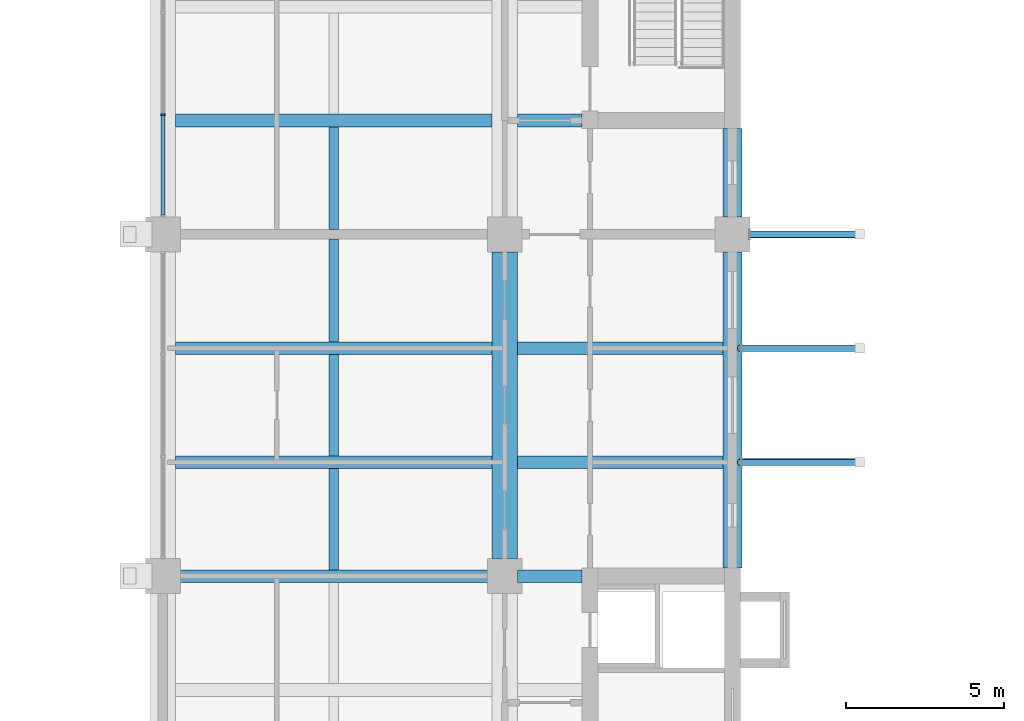
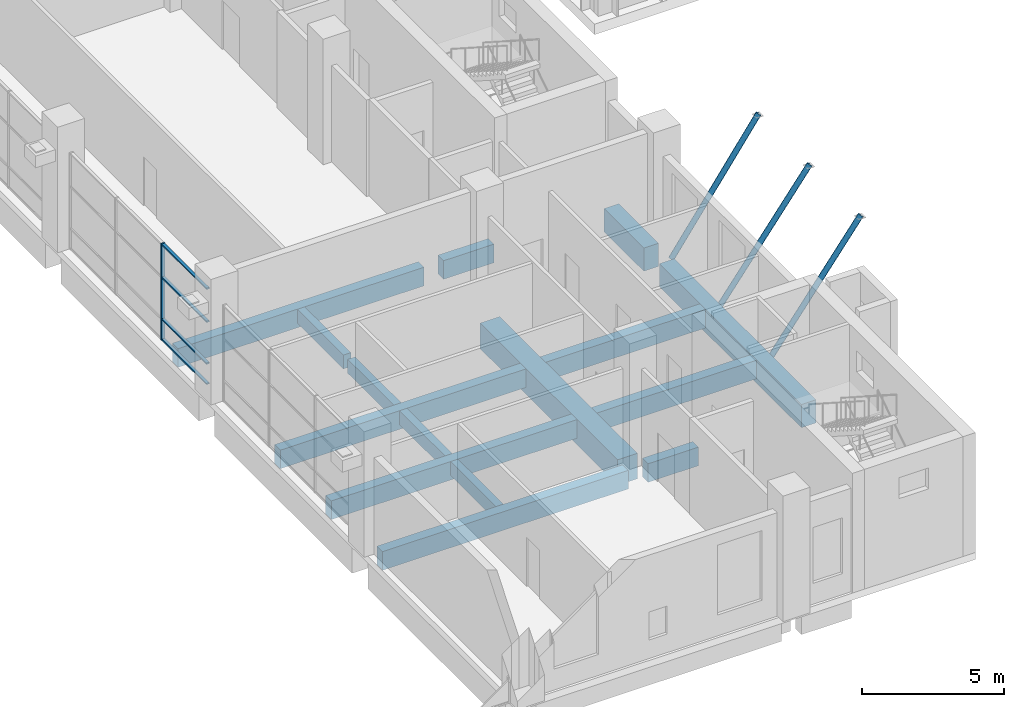
# One storey, part 5 of 38: 15 beams, 8 members, 1 element without a shape of its own.
"""IFC4 building model written with IfcOpenShell, lengths in metres."""

from ifc_helpers import new_model, si_unit, direction, frame, origin, origin_2d, place, context, subcontext, project, spatial, rectangle, hollow_circle, extrude, material, layer, layer_set, material_profile, profile_set, type_object, element, aggregate, save


model = new_model("IFC4")

# Units and contexts
model_context = context("Model", 3, precision=1e-05, world=origin(), true_north=direction((0.0, 1.0)))
body_context = subcontext(model_context, "Body", "Model", "MODEL_VIEW")
ifc_project = project(units=[si_unit("LENGTHUNIT", "METRE"), si_unit("AREAUNIT", "SQUARE_METRE"), si_unit("VOLUMEUNIT", "CUBIC_METRE"), si_unit("PLANEANGLEUNIT", "RADIAN"), si_unit("MASSUNIT", "GRAM", prefix="KILO")], contexts=[model_context])

# Site, building, storey
site_placement = place(None, origin())
site = spatial("IfcSite", under=ifc_project, at=site_placement, CompositionType="ELEMENT")
building_placement = place(site_placement, origin())
building = spatial("IfcBuilding", under=site, at=building_placement, Name="Basin Gate Institute", CompositionType="ELEMENT")
storey_placement = place(building_placement, frame((0.0, 0.0, 16.800048828125)))
storey = spatial("IfcBuildingStorey", under=building, at=storey_placement, Name="L03", CompositionType="ELEMENT", Elevation=16.800048828125)

# Beams
ifc_material_1 = material(Name="Concrete 40 MPa", Category="concrete")
ifc_material_profile_1 = material_profile(ifc_material_1, rectangle(XDim=0.39990234375, YDim=0.800048828125, at=origin_2d()), Name="Beam B2 400 x 800")
ifc_profile_set_1 = profile_set([ifc_material_profile_1], Name="Concrete 40 MPa")
beam_type_1 = type_object("IfcBeamType", Name="Beam B2 R180", PredefinedType="BEAM", material=ifc_profile_set_1)
beam_1_placement = place(storey_placement, frame((111.199951171875, 45.89990234375, -0.699951171875), z_axis=(-1.0, 0.0, 0.0), x_axis=(0.0, -1.0, 0.0)))
element("IfcBeam", 1, at=beam_1_placement, inside=storey, type_object=beam_type_1, material=ifc_profile_set_1, Name="BEAM/L03/E/EW/04", PredefinedType="BEAM", context=body_context, shape_type="SweptSolid", body=[
    extrude(rectangle(XDim=0.39990234375, YDim=0.800048828125, at=origin_2d()), origin(), (0.0, 0.0, 1.0), 10.0),
])
beam_2_placement = place(storey_placement, frame((114.050048828125, 45.89990234375, -0.699951171875), z_axis=(-1.0, 0.0, 0.0), x_axis=(0.0, -1.0, 0.0)))
element("IfcBeam", 2, at=beam_2_placement, inside=storey, type_object=beam_type_1, material=ifc_profile_set_1, Name="BEAM/L03/E/CORR/04", PredefinedType="BEAM", context=body_context, shape_type="SweptSolid", body=[
    extrude(rectangle(XDim=0.39990234375, YDim=0.800048828125, at=origin_2d()), origin(), (0.0, 0.0, 1.0), 2.050048828125),
])
beam_3_placement = place(storey_placement, frame((111.199951171875, 49.5, -0.699951171875), z_axis=(-1.0, 0.0, 0.0), x_axis=(0.0, -1.0, 0.0)))
element("IfcBeam", 3, at=beam_3_placement, inside=storey, type_object=beam_type_1, material=ifc_profile_set_1, Name="BEAM/L03/E/EW/05", PredefinedType="BEAM", context=body_context, shape_type="SweptSolid", body=[
    extrude(rectangle(XDim=0.39990234375, YDim=0.800048828125, at=origin_2d()), origin(), (0.0, 0.0, 1.0), 10.0),
])
beam_4_placement = place(storey_placement, frame((118.5, 49.5, -0.699951171875), z_axis=(-1.0, 0.0, 0.0), x_axis=(0.0, -1.0, 0.0)))
element("IfcBeam", 4, at=beam_4_placement, inside=storey, type_object=beam_type_1, material=ifc_profile_set_1, Name="BEAM/L03/E/OUT/05", PredefinedType="BEAM", context=body_context, shape_type="SweptSolid", body=[
    extrude(rectangle(XDim=0.39990234375, YDim=0.800048828125, at=origin_2d()), origin(), (0.0, 0.0, 1.0), 6.5),
])
beam_5_placement = place(storey_placement, frame((111.199951171875, 53.10009765625, -0.699951171875), z_axis=(-1.0, 0.0, 0.0), x_axis=(0.0, -1.0, 0.0)))
element("IfcBeam", 5, at=beam_5_placement, inside=storey, type_object=beam_type_1, material=ifc_profile_set_1, Name="BEAM/L03/E/EW/06", PredefinedType="BEAM", context=body_context, shape_type="SweptSolid", body=[
    extrude(rectangle(XDim=0.39990234375, YDim=0.800048828125, at=origin_2d()), origin(), (0.0, 0.0, 1.0), 10.0),
])
beam_6_placement = place(storey_placement, frame((118.5, 53.10009765625, -0.699951171875), z_axis=(-1.0, 0.0, 0.0), x_axis=(0.0, -1.0, 0.0)))
element("IfcBeam", 6, at=beam_6_placement, inside=storey, type_object=beam_type_1, material=ifc_profile_set_1, Name="BEAM/L03/E/OUT/06", PredefinedType="BEAM", context=body_context, shape_type="SweptSolid", body=[
    extrude(rectangle(XDim=0.39990234375, YDim=0.800048828125, at=origin_2d()), origin(), (0.0, 0.0, 1.0), 6.5),
])
beam_7_placement = place(storey_placement, frame((111.199951171875, 60.300048828125, -0.699951171875), z_axis=(-1.0, 0.0, 0.0), x_axis=(0.0, -1.0, 0.0)))
element("IfcBeam", 7, at=beam_7_placement, inside=storey, type_object=beam_type_1, material=ifc_profile_set_1, Name="BEAM/L03/E/EW/08", PredefinedType="BEAM", context=body_context, shape_type="SweptSolid", body=[
    extrude(rectangle(XDim=0.39990234375, YDim=0.800048828125, at=origin_2d()), origin(), (0.0, 0.0, 1.0), 10.0),
])
beam_8_placement = place(storey_placement, frame((114.050048828125, 60.300048828125, -0.699951171875), z_axis=(-1.0, 0.0, 0.0), x_axis=(0.0, -1.0, 0.0)))
element("IfcBeam", 8, at=beam_8_placement, inside=storey, type_object=beam_type_1, material=ifc_profile_set_1, Name="BEAM/L03/E/CORR/08", PredefinedType="BEAM", context=body_context, shape_type="SweptSolid", body=[
    extrude(rectangle(XDim=0.39990234375, YDim=0.800048828125, at=origin_2d()), origin(), (0.0, 0.0, 1.0), 2.050048828125),
])

# Members
ifc_material_2 = material(Name="Structural steel SN490", Category="steel")
ifc_material_profile_2 = material_profile(ifc_material_2, hollow_circle(Radius=0.109619140625, WallThickness=0.008056640625, at=origin_2d()), Name="CHS219x8")
ifc_profile_set_2 = profile_set([ifc_material_profile_2], Name="Structural steel SN490")
member_type_1 = type_object("IfcMemberType", Name="Capsule bracket TD3", PredefinedType="BRACE", material=ifc_profile_set_2)
for number, where, z_axis, x_axis, name in (
    (9, (119.050048828125, 49.5, -0.699951171875), (0.605088195885, 0.0, 0.796158448552), (0.0, 1.0, 0.0), "Tray bracket E L04 tray 1.1"),
    (10, (119.050048828125, 53.10009765625, -0.699951171875), (0.605088195885, 0.0, 0.796158448552), (0.0, 1.0, 0.0), "Tray bracket E L04 tray 1.2"),
):
    element("IfcMember", number, at=place(storey_placement, frame(where, z_axis=z_axis, x_axis=x_axis)), inside=storey, type_object=member_type_1, material=ifc_profile_set_2, Name=name, PredefinedType="BRACE", context=body_context, shape_type="SweptSolid", body=[
        extrude(hollow_circle(Radius=0.109619140625, WallThickness=0.008056640625, at=origin_2d()), origin(), (0.0, 0.0, 1.0), 6.2802734375),
    ])
member_1_placement = place(storey_placement, frame((119.300048828125, 56.699951171875, -0.699951171875), z_axis=(0.578927213056, 0.0, 0.815379225871), x_axis=(0.0, 1.0, 0.0)))
element("IfcMember", 11, at=member_1_placement, inside=storey, type_object=member_type_1, material=ifc_profile_set_2, Name="Tray bracket E L04 tray 1.3", PredefinedType="BRACE", context=body_context, shape_type="SweptSolid", body=[
    extrude(hollow_circle(Radius=0.109619140625, WallThickness=0.008056640625, at=origin_2d()), origin(), (0.0, 0.0, 1.0), 6.132080078125),
])

# Beams
ifc_material_3 = material(Name="Concrete 50 MPa", Category="concrete")
ifc_material_profile_3 = material_profile(ifc_material_3, rectangle(XDim=0.60009765625, YDim=1.0, at=origin_2d()), Name="Edge beam EB2 600 x 1000")
ifc_profile_set_3 = profile_set([ifc_material_profile_3], Name="Concrete 50 MPa")
beam_type_2 = type_object("IfcBeamType", Name="Edge beam EB2 R180", PredefinedType="SPANDREL", material=ifc_profile_set_3)
beam_9_placement = place(storey_placement, frame((118.800048828125, 46.14990234375, -0.800048828125), z_axis=(0.0, 1.0, 0.0), x_axis=(-1.0, 0.0, 0.0)))
element("IfcBeam", 12, at=beam_9_placement, inside=storey, type_object=beam_type_2, material=ifc_profile_set_3, Name="BEAM/L03/E/EDGE/1", PredefinedType="SPANDREL", context=body_context, shape_type="SweptSolid", body=[
    extrude(rectangle(XDim=0.60009765625, YDim=1.0, at=origin_2d()), origin(), (0.0, 0.0, 1.0), 10.0),
])
ifc_material_4 = material(Name="Concrete 50 MPa", Category="concrete")
ifc_material_profile_4 = material_profile(ifc_material_4, rectangle(XDim=0.60009765625, YDim=1.0, at=origin_2d()), Name="Edge return beam EB4 600 x 1000")
ifc_profile_set_4 = profile_set([ifc_material_profile_4], Name="Concrete 50 MPa")
beam_type_3 = type_object("IfcBeamType", Name="Edge return beam EB4 R180", PredefinedType="SPANDREL", material=ifc_profile_set_4)
beam_10_placement = place(storey_placement, frame((118.800048828125, 57.25, -0.800048828125), z_axis=(0.0, 1.0, 0.0), x_axis=(-1.0, 0.0, 0.0)))
element("IfcBeam", 13, at=beam_10_placement, inside=storey, type_object=beam_type_3, material=ifc_profile_set_4, Name="BEAM/L03/E/EDGE/2", PredefinedType="SPANDREL", context=body_context, shape_type="SweptSolid", body=[
    extrude(rectangle(XDim=0.60009765625, YDim=1.0, at=origin_2d()), origin(), (0.0, 0.0, 1.0), 2.800048828125),
])
ifc_material_5 = material(Name="Concrete 50 MPa", Category="concrete")
ifc_material_profile_5 = material_profile(ifc_material_5, rectangle(XDim=0.800048828125, YDim=1.10009765625, at=origin_2d()), Name="Girder G2 800 x 1100")
ifc_profile_set_5 = profile_set([ifc_material_profile_5], Name="Concrete 50 MPa")
beam_type_4 = type_object("IfcBeamType", Name="Girder G2 R180", PredefinedType="BEAM", material=ifc_profile_set_5)
beam_11_placement = place(storey_placement, frame((111.60009765625, 46.449951171875, -0.85009765625), z_axis=(0.0, 1.0, 0.0), x_axis=(-1.0, 0.0, 0.0)))
element("IfcBeam", 14, at=beam_11_placement, inside=storey, type_object=beam_type_4, material=ifc_profile_set_5, Name="GIR/L03/E8/2", PredefinedType="BEAM", context=body_context, shape_type="SweptSolid", body=[
    extrude(rectangle(XDim=0.800048828125, YDim=1.10009765625, at=origin_2d()), origin(), (0.0, 0.0, 1.0), 9.699951171875),
])

# Curtain wall, member
ifc_material_6 = material(Name="Fire-resistant glazing in steel-free frame", Category="steel")
ifc_layer = layer(ifc_material_6, 0.199951171875)
ifc_layer_set = layer_set([ifc_layer], Name="Fire-resistant glazing in steel-free frame")
curtain_wall_type = type_object("IfcCurtainWallType", Name="Atrium rated curtain wall CW3", PredefinedType="NOTDEFINED", material=ifc_layer_set)
curtain_wall_placement = place(storey_placement, origin())
curtain_wall = element("IfcCurtainWall", 15, at=curtain_wall_placement, inside=storey, type_object=curtain_wall_type, material=ifc_layer_set, Name="Atrium rated curtain wall E wing atrium bay 3 L03", PredefinedType="NOTDEFINED")
ifc_material_7 = material(Name="Aluminium", Category="aluminium")
ifc_material_profile_6 = material_profile(ifc_material_7, rectangle(XDim=0.14990234375, YDim=0.06005859375, at=origin_2d()), Name="Mullion MU3 150 x 60")
ifc_profile_set_6 = profile_set([ifc_material_profile_6], Name="Aluminium")
member_type_2 = type_object("IfcMemberType", Name="Mullion MU3", PredefinedType="MULLION", material=ifc_profile_set_6)
member_2_placement = place(storey_placement, frame((100.800048828125, 60.4833984375, 0.0), z_axis=(0.0, 0.0, 1.0), x_axis=(-1.0, 0.0, 0.0)))
member_2 = element("IfcMember", 16, at=member_2_placement, type_object=member_type_2, material=ifc_profile_set_6, Name="CW3 mullion 2", PredefinedType="MULLION", context=body_context, shape_type="SweptSolid", body=[
    extrude(rectangle(XDim=0.14990234375, YDim=0.06005859375, at=origin_2d()), origin(), (0.0, 0.0, 1.0), 4.14990234375),
])

# Beams
ifc_material_8 = material(Name="Concrete 40 MPa", Category="concrete")
ifc_material_profile_7 = material_profile(ifc_material_8, rectangle(XDim=0.300048828125, YDim=0.60009765625, at=origin_2d()), Name="Rib R2 300 x 600")
ifc_profile_set_7 = profile_set([ifc_material_profile_7], Name="Concrete 40 MPa")
beam_type_5 = type_object("IfcBeamType", Name="Rib R2 R180", PredefinedType="JOIST", material=ifc_profile_set_7)
for number, where, z_axis, x_axis, name in (
    (17, (106.199951171875, 46.10009765625, -0.60009765625), (0.0, 1.0, 0.0), (-1.0, 0.0, 0.0), "BEAM/L03/E/RIB/04"),
    (18, (106.199951171875, 49.699951171875, -0.60009765625), (0.0, 1.0, 0.0), (-1.0, 0.0, 0.0), "BEAM/L03/E/RIB/05"),
):
    element("IfcBeam", number, at=place(storey_placement, frame(where, z_axis=z_axis, x_axis=x_axis)), inside=storey, type_object=beam_type_5, material=ifc_profile_set_7, Name=name, PredefinedType="JOIST", context=body_context, shape_type="SweptSolid", body=[
        extrude(rectangle(XDim=0.300048828125, YDim=0.60009765625, at=origin_2d()), origin(), (0.0, 0.0, 1.0), 3.199951171875),
    ])
for number, where, z_axis, x_axis, name in (
    (19, (106.199951171875, 53.300048828125, -0.60009765625), (0.0, 1.0, 0.0), (-1.0, 0.0, 0.0), "BEAM/L03/E/RIB/06"),
    (20, (106.199951171875, 56.85009765625, -0.60009765625), (0.0, 1.0, 0.0), (-1.0, 0.0, 0.0), "BEAM/L03/E/RIB/07"),
):
    element("IfcBeam", number, at=place(storey_placement, frame(where, z_axis=z_axis, x_axis=x_axis)), inside=storey, type_object=beam_type_5, material=ifc_profile_set_7, Name=name, PredefinedType="JOIST", context=body_context, shape_type="SweptSolid", body=[
        extrude(rectangle(XDim=0.300048828125, YDim=0.60009765625, at=origin_2d()), origin(), (0.0, 0.0, 1.0), 3.25),
    ])

# Member
ifc_material_9 = material(Name="Aluminium", Category="aluminium")
ifc_material_profile_8 = material_profile(ifc_material_9, rectangle(XDim=0.1201171875, YDim=0.06005859375, at=origin_2d()), Name="Transom TR3 120 x 60")
ifc_profile_set_8 = profile_set([ifc_material_profile_8], Name="Aluminium")
member_type_3 = type_object("IfcMemberType", Name="Transom TR3", PredefinedType="USERDEFINED", material=ifc_profile_set_8)
member_3_placement = place(storey_placement, frame((100.800048828125, 57.31005859375, 0.030029296875), z_axis=(0.0, 1.0, 0.0), x_axis=(-1.0, 0.0, 0.0)))
member_3 = element("IfcMember", 21, at=member_3_placement, type_object=member_type_3, material=ifc_profile_set_8, Name="CW3 transom 1.1", ObjectType="TRANSOM", PredefinedType="USERDEFINED", context=body_context, shape_type="SweptSolid", body=[
    extrude(rectangle(XDim=0.1201171875, YDim=0.06005859375, at=origin_2d()), origin(), (0.0, 0.0, 1.0), 3.143310546875),
])

member_4_placement = place(storey_placement, frame((100.800048828125, 57.31005859375, 0.89990234375), z_axis=(0.0, 1.0, 0.0), x_axis=(-1.0, 0.0, 0.0)))
member_4 = element("IfcMember", 22, at=member_4_placement, type_object=member_type_3, material=ifc_profile_set_8, Name="CW3 transom 1.2", ObjectType="TRANSOM", PredefinedType="USERDEFINED", context=body_context, shape_type="SweptSolid", body=[
    extrude(rectangle(XDim=0.1201171875, YDim=0.06005859375, at=origin_2d()), origin(), (0.0, 0.0, 1.0), 3.143310546875),
])

member_5_placement = place(storey_placement, frame((100.800048828125, 57.31005859375, 2.699951171875), z_axis=(0.0, 1.0, 0.0), x_axis=(-1.0, 0.0, 0.0)))
member_5 = element("IfcMember", 23, at=member_5_placement, type_object=member_type_3, material=ifc_profile_set_8, Name="CW3 transom 1.3", ObjectType="TRANSOM", PredefinedType="USERDEFINED", context=body_context, shape_type="SweptSolid", body=[
    extrude(rectangle(XDim=0.1201171875, YDim=0.06005859375, at=origin_2d()), origin(), (0.0, 0.0, 1.0), 3.143310546875),
])

member_6_placement = place(storey_placement, frame((100.800048828125, 57.31005859375, 4.119873046875), z_axis=(0.0, 1.0, 0.0), x_axis=(-1.0, 0.0, 0.0)))
member_6 = element("IfcMember", 24, at=member_6_placement, type_object=member_type_3, material=ifc_profile_set_8, Name="CW3 transom 1.4", ObjectType="TRANSOM", PredefinedType="USERDEFINED", context=body_context, shape_type="SweptSolid", body=[
    extrude(rectangle(XDim=0.1201171875, YDim=0.06005859375, at=origin_2d()), origin(), (0.0, 0.0, 1.0), 3.143310546875),
])

aggregate(curtain_wall, [member_2, member_3, member_4, member_5, member_6])

save(model, "model.ifc")
